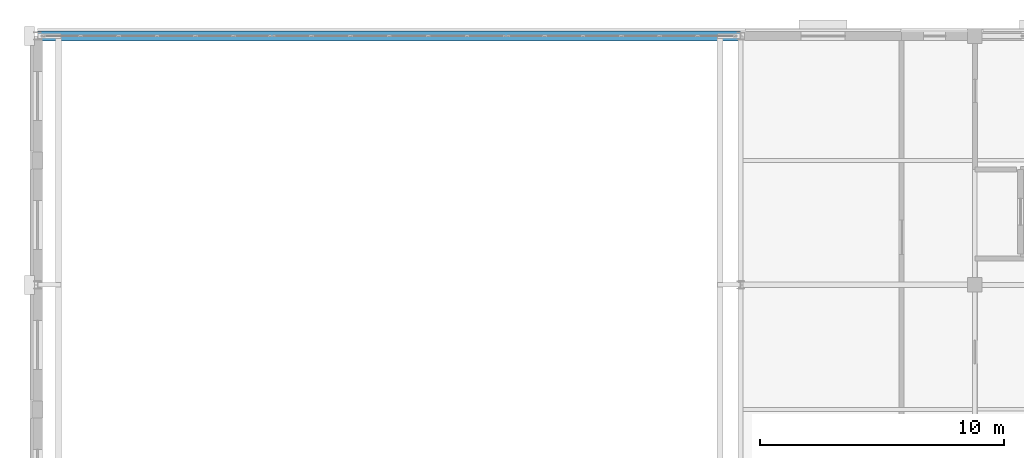
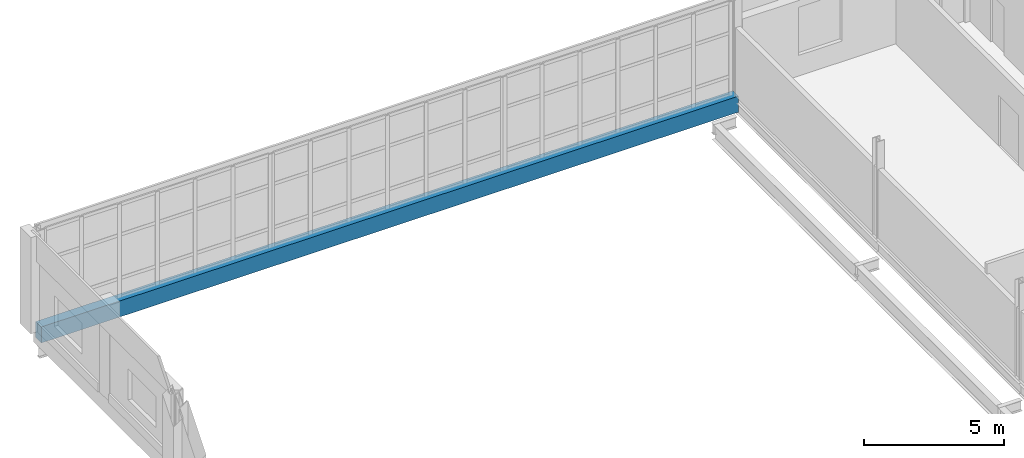
# One storey, part 56 of 170: 1 beam.
"""IFC4 building model written with IfcOpenShell, lengths in metres."""

import ifcopenshell
import ifcopenshell.guid

model = None  # the IFC model being written
_history = None  # IfcOwnerHistory: only IFC2X3 demands one
_inside = {}  # id of a spatial element -> (the spatial element, [elements in it])
_under = {}  # id of a project, library or spatial element -> (it, [spatial elements below it])
_declared = {}  # id of a project -> (the project, [libraries it declares])
_typed = {}  # id of a type object -> (the type object, [elements of that type])
_made_of = {}  # id of a material, layer set ... -> (it, [elements and type objects made of it])


def new_model(schema):
    """Start an empty IFC model of exactly this schema.

    Asked for "IFC4X3", IfcOpenShell would pick the latest addendum, in which some entities
    have other attributes; the version numbers below select the first issue.
    IFC2X3 requires an IfcOwnerHistory on every rooted entity: one is made here for all.
    """
    global model, _history
    if schema == "IFC4X3":
        model = ifcopenshell.file(schema_version=(4, 3, 0, 0))
    else:
        model = ifcopenshell.file(schema=schema)
    _inside.clear()
    _under.clear()
    _declared.clear()
    _typed.clear()
    _made_of.clear()
    _history = None
    if model.schema == "IFC2X3":
        org = make("IfcOrganization", Name="unknown")
        user = make(
            "IfcPersonAndOrganization",
            ThePerson=make("IfcPerson", FamilyName="unknown"),
            TheOrganization=org,
        )
        app = make(
            "IfcApplication",
            ApplicationDeveloper=org,
            Version="unknown",
            ApplicationFullName="unknown",
            ApplicationIdentifier="unknown",
        )
        _history = make(
            "IfcOwnerHistory",
            OwningUser=user,
            OwningApplication=app,
            ChangeAction="ADDED",
            CreationDate=0,
        )
    return model


def make(cls, **values):
    """One entity of the class cls with the attributes given. An attribute that is None is left unset."""
    return model.create_entity(
        cls, **{name: value for name, value in values.items() if value is not None}
    )


def rooted(cls, **values):
    """An entity with a GlobalId (a new one), such as an element, a storey or a relation."""
    return make(cls, GlobalId=ifcopenshell.guid.new(), OwnerHistory=_history, **values)


def si_unit(unit_type, name, prefix=None):
    """IfcSIUnit, for example si_unit("LENGTHUNIT", "METRE", prefix="MILLI")."""
    return make("IfcSIUnit", UnitType=unit_type, Prefix=prefix, Name=name)


def assignment(units):
    """IfcUnitAssignment: the units of a project."""
    return None if units is None else make("IfcUnitAssignment", Units=units)


def point(xyz):
    """IfcCartesianPoint."""
    return None if xyz is None else make("IfcCartesianPoint", Coordinates=xyz)


def direction(xyz):
    """IfcDirection."""
    return None if xyz is None else make("IfcDirection", DirectionRatios=xyz)


def frame(location, z_axis=None, x_axis=None):
    """IfcAxis2Placement3D, a coordinate frame: its origin and axes. An axis left out is left unset."""
    return make(
        "IfcAxis2Placement3D",
        Location=point(location),
        Axis=direction(z_axis),
        RefDirection=direction(x_axis),
    )


def frame_2d(location, x_axis=None):
    """IfcAxis2Placement2D, a coordinate frame in the plane: its origin and x axis."""
    return make(
        "IfcAxis2Placement2D", Location=point(location), RefDirection=direction(x_axis)
    )


def origin():
    """The frame at (0, 0, 0) with its axes left unset."""
    return frame((0.0, 0.0, 0.0))


def origin_2d():
    """The frame at (0, 0) in the plane with its x axis left unset."""
    return frame_2d((0.0, 0.0))


def place(relative_to, where):
    """IfcLocalPlacement: puts the frame where relative to a parent placement (None: the world)."""
    return make(
        "IfcLocalPlacement", PlacementRelTo=relative_to, RelativePlacement=where
    )


def context(
    kind, dimensions, precision=None, world=None, true_north=None, identifier=None
):
    """IfcGeometricRepresentationContext, for example the 3D "Model" context."""
    return make(
        "IfcGeometricRepresentationContext",
        ContextIdentifier=identifier,
        ContextType=kind,
        CoordinateSpaceDimension=dimensions,
        Precision=precision,
        WorldCoordinateSystem=world,
        TrueNorth=true_north,
    )


def subcontext(parent, identifier, kind, view, scale=None):
    """IfcGeometricRepresentationSubContext, for example "Body" below "Model"."""
    return make(
        "IfcGeometricRepresentationSubContext",
        ContextIdentifier=identifier,
        ContextType=kind,
        ParentContext=parent,
        TargetScale=scale,
        TargetView=view,
    )


def project(units=None, contexts=None):
    """IfcProject with its units and contexts."""
    return rooted(
        "IfcProject",
        Name="project",
        RepresentationContexts=contexts,
        UnitsInContext=assignment(units),
    )


def spatial(cls, under=None, at=None, **own):
    """A site, building, storey or space (cls), placed at a placement, below another one or the project."""
    s = rooted(cls, ObjectPlacement=at, **own)
    if under is not None:
        _under.setdefault(under.id(), (under, []))[1].append(s)
    return s


def profile(cls, at=None, kind="AREA", **sizes):
    """A parametric profile (cls). Its sizes go by their IFC names, for example OverallWidth=200.0."""
    return make(cls, ProfileType=kind, Position=at, **sizes)


def rectangle(**sizes):
    """IfcRectangleProfileDef."""
    return profile("IfcRectangleProfileDef", **sizes)


def extrude(swept, where, along, depth):
    """IfcExtrudedAreaSolid: the profile swept, set in the frame where, extruded along a direction by depth."""
    return make(
        "IfcExtrudedAreaSolid",
        SweptArea=swept,
        Position=where,
        ExtrudedDirection=direction(along),
        Depth=depth,
    )


def shape(context_of_items, identifier, shape_type, items):
    """IfcShapeRepresentation: the items that make up one representation, for example the "Body"."""
    return make(
        "IfcShapeRepresentation",
        ContextOfItems=context_of_items,
        RepresentationIdentifier=identifier,
        RepresentationType=shape_type,
        Items=items,
    )


def material(Name=None, Category=None):
    """IfcMaterial."""
    return make("IfcMaterial", Name=Name, Category=Category)


def material_profile(
    of_material, cross_section, Name=None, Category=None, Priority=None
):
    """IfcMaterialProfile: a cross section and its material."""
    return make(
        "IfcMaterialProfile",
        Name=Name,
        Material=of_material,
        Profile=cross_section,
        Priority=Priority,
        Category=Category,
    )


def profile_set(profiles, Name=None, composite=None):
    """IfcMaterialProfileSet."""
    return make(
        "IfcMaterialProfileSet",
        Name=Name,
        MaterialProfiles=profiles,
        CompositeProfile=composite,
    )


def made_of(thing, what):
    """Note that an element or type object is made of a material, layer set ...; save() writes the relation."""
    if what is not None:
        _made_of.setdefault(what.id(), (what, []))[1].append(thing)
    return thing


def type_object(cls, material=None, **own):
    """A type object (cls), such as IfcWallType, which elements share."""
    return made_of(rooted(cls, **own), material)


def element(
    cls,
    number,
    at=None,
    inside=None,
    cuts=None,
    type_object=None,
    material=None,
    context=None,
    identifier="Body",
    shape_type=None,
    held_by="IfcProductDefinitionShape",
    body=None,
    shapes=None,
    **own,
):
    """One element of the class cls, such as IfcWall. Its Tag is "e" and its number.

    at: its placement. inside: the storey or other place that contains it. cuts: it is an
    opening in that element (IfcRelVoidsElement). A single representation is given by context,
    identifier, shape_type and body (its items); several are given by shapes. held_by: the class
    of the entity that holds the representations. save() writes the other relations.
    """
    e = rooted(cls, Tag="e%d" % number, ObjectPlacement=at, **own)
    if body is not None:
        shapes = [shape(context, identifier, shape_type, body)]
    if shapes is not None:
        e.Representation = make(held_by, Representations=shapes)
    if inside is not None:
        _inside.setdefault(inside.id(), (inside, []))[1].append(e)
    if cuts is not None:
        rooted(
            "IfcRelVoidsElement", RelatingBuildingElement=cuts, RelatedOpeningElement=e
        )
    if type_object is not None:
        _typed.setdefault(type_object.id(), (type_object, []))[1].append(e)
    return made_of(e, material)


def aggregate(whole, parts):
    """IfcRelAggregates: a whole, such as a stair, and the parts it consists of."""
    return rooted("IfcRelAggregates", RelatingObject=whole, RelatedObjects=parts)


def save(model, path):
    """Write the relations noted so far, then the file.

    IfcRelAggregates (storeys below a building ...), IfcRelContainedInSpatialStructure (elements
    in a storey), IfcRelDefinesByType, IfcRelAssociatesMaterial and IfcRelDeclares: one each for
    every whole, place, type object, material and project.
    """
    for whole, parts in _under.values():
        aggregate(whole, parts)
    for where, things in _inside.values():
        rooted(
            "IfcRelContainedInSpatialStructure",
            RelatedElements=things,
            RelatingStructure=where,
        )
    for kind, things in _typed.values():
        rooted("IfcRelDefinesByType", RelatedObjects=things, RelatingType=kind)
    for what, things in _made_of.values():
        rooted("IfcRelAssociatesMaterial", RelatedObjects=things, RelatingMaterial=what)
    for by, libraries in _declared.values():
        rooted("IfcRelDeclares", RelatingContext=by, RelatedDefinitions=libraries)
    model.write(path)


model = new_model("IFC4")

# Units and contexts
model_context = context("Model", 3, precision=1e-05, world=origin(), true_north=direction((0.0, 1.0)))
body_context = subcontext(model_context, "Body", "Model", "MODEL_VIEW")
ifc_project = project(units=[si_unit("LENGTHUNIT", "METRE"), si_unit("AREAUNIT", "SQUARE_METRE"), si_unit("VOLUMEUNIT", "CUBIC_METRE"), si_unit("PLANEANGLEUNIT", "RADIAN"), si_unit("MASSUNIT", "GRAM", prefix="KILO")], contexts=[model_context])

# Site, building, storey
site_placement = place(None, origin())
site = spatial("IfcSite", under=ifc_project, at=site_placement, CompositionType="ELEMENT")
building_placement = place(site_placement, origin())
building = spatial("IfcBuilding", under=site, at=building_placement, Name="Vondelvale Polytechnic", CompositionType="ELEMENT")
storey_placement = place(building_placement, frame((0.0, 0.0, 5.39990234375)))
storey = spatial("IfcBuildingStorey", under=building, at=storey_placement, Name="L01", CompositionType="ELEMENT", Elevation=5.39990234375)

# Beam
ifc_material = material(Name="Precast concrete N40 (f'c = 40 MPa)", Category="concrete")
ifc_material_profile = material_profile(ifc_material, rectangle(XDim=0.39990234375, YDim=0.699951171875, at=origin_2d()), Name="RC-SPN-400x700")
ifc_profile_set = profile_set([ifc_material_profile], Name="Precast concrete N40 (f'c = 40 MPa)")
beam_type = type_object("IfcBeamType", Name="SPN-PRE400x700", PredefinedType="SPANDREL", material=ifc_profile_set)
beam_placement = place(storey_placement, frame((0.0, 122.39990234375, -0.349853515625), z_axis=(1.0, 0.0, 0.0), x_axis=(0.0, 1.0, 0.0)))
element("IfcBeam", 1, at=beam_placement, inside=storey, type_object=beam_type, Name="L01 SP SP-01", PredefinedType="SPANDREL", context=body_context, shape_type="SweptSolid", body=[
    extrude(rectangle(XDim=0.39990234375, YDim=0.699951171875, at=origin_2d()), origin(), (0.0, 0.0, 1.0), 28.800048828125),
])

save(model, "model.ifc")
